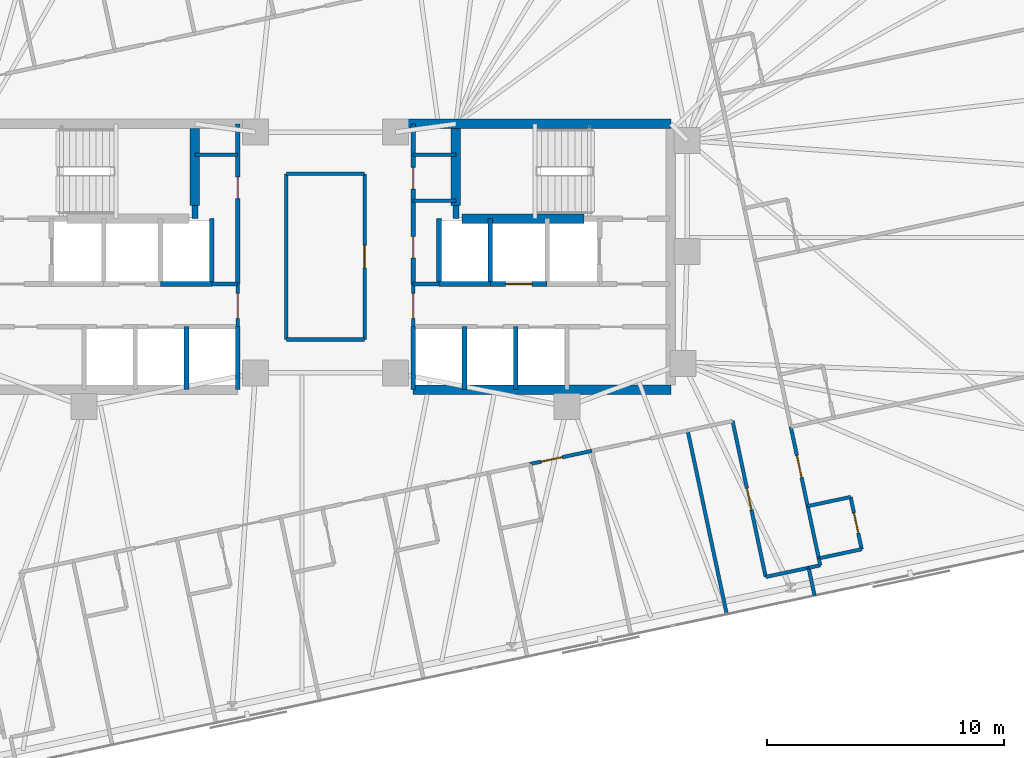
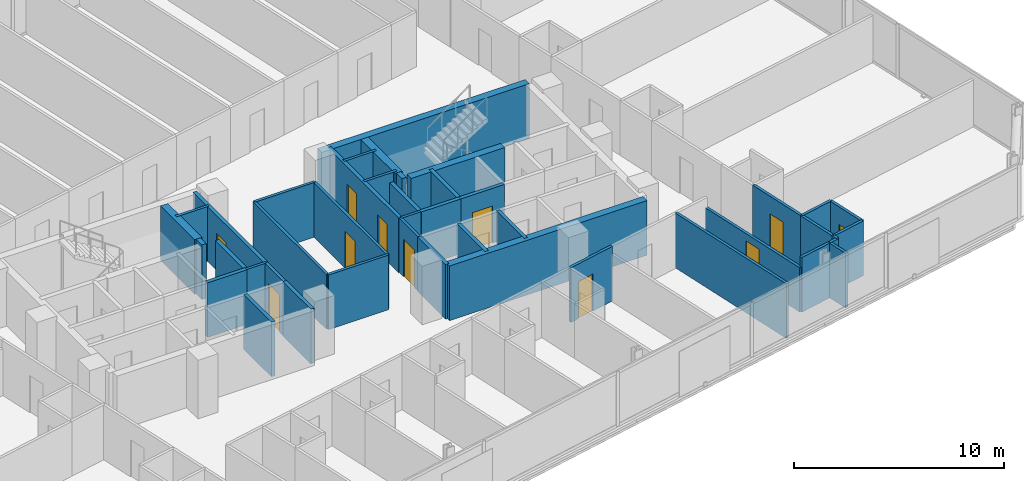
# One storey, part 16 of 21: 43 walls, 11 doors, 11 openings.
"""IFC4 building model written with IfcOpenShell, lengths in metres."""

from ifc_helpers import new_model, si_unit, direction, frame, frame_2d, origin, place, context, subcontext, project, spatial, rectangle, extrude, material, layer, layer_set, type_object, element, fill, save


model = new_model("IFC4")

# Units and contexts
model_context = context("Model", 3, precision=1e-05, world=origin(), true_north=direction((0.0, 1.0)))
body_context = subcontext(model_context, "Body", "Model", "MODEL_VIEW")
ifc_project = project(units=[si_unit("LENGTHUNIT", "METRE"), si_unit("AREAUNIT", "SQUARE_METRE"), si_unit("VOLUMEUNIT", "CUBIC_METRE"), si_unit("PLANEANGLEUNIT", "RADIAN"), si_unit("MASSUNIT", "GRAM", prefix="KILO")], contexts=[model_context])

# Site, building, storey
site_placement = place(None, origin())
site = spatial("IfcSite", under=ifc_project, at=site_placement, CompositionType="ELEMENT")
building_placement = place(site_placement, origin())
building = spatial("IfcBuilding", under=site, at=building_placement, Name="Menara Jurai Vektor", CompositionType="ELEMENT")
storey_placement = place(building_placement, frame((0.0, 0.0, 168.39990234375)))
storey = spatial("IfcBuildingStorey", under=building, at=storey_placement, Name="L43", CompositionType="ELEMENT", Elevation=168.39990234375)

# Walls
ifc_material_1 = material(Name="Concrete C40/50", Category="concrete")
ifc_layer_1 = layer(ifc_material_1, 0.25)
ifc_layer_set_1 = layer_set([ifc_layer_1], Name="Concrete C40/50")
wall_type_1 = type_object("IfcWallType", Name="INT-WALL-CORE-250", PredefinedType="STANDARD", material=ifc_layer_set_1)
for number, where, z_axis, x_axis, name in (
    (1, (-5.5, 1.60009765625, 0.0), (0.0, 0.0, 1.0), (0.0, 1.0, 0.0), "Interior Wall IW-250 L43"),
    (2, (5.5, 1.60009765625, 0.0), (0.0, 0.0, 1.0), (0.0, 1.0, 0.0), "Interior Wall IW-250 L43"),
):
    element("IfcWall", number, at=place(storey_placement, frame(where, z_axis=z_axis, x_axis=x_axis)), inside=storey, type_object=wall_type_1, Name=name, PredefinedType="STANDARD", context=body_context, shape_type="SweptSolid", body=[
        extrude(rectangle(XDim=0.5498046875, YDim=0.25, at=frame_2d((0.27490234375, 0.0))), origin(), (0.0, 0.0, 1.0), 3.175048828125),
    ])

# Wall, opening, door
ifc_material_2 = material(Name="Gypsum Fireboard Partition", Category="gypsum")
ifc_layer_2 = layer(ifc_material_2, 0.14990234375)
ifc_layer_set_2 = layer_set([ifc_layer_2], Name="Gypsum Fireboard Partition")
wall_type_2 = type_object("IfcWallType", Name="INT-WALL-CORR-150", PredefinedType="PARTITIONING", material=ifc_layer_set_2)
wall_1_placement = place(storey_placement, frame((-3.699951171875, -2.949951171875, 0.0), z_axis=(0.0, 0.0, 1.0), x_axis=(0.0, 1.0, 0.0)))
wall_1 = element("IfcWall", 3, at=wall_1_placement, inside=storey, type_object=wall_type_2, Name="Interior Wall IW-150 L43", PredefinedType="PARTITIONING", context=body_context, shape_type="SweptSolid", body=[
    extrude(rectangle(XDim=1.800048828125, YDim=0.14990234375, at=frame_2d((0.89990234375, 0.0))), origin(), (0.0, 0.0, 1.0), 3.175048828125),
])
opening_1_placement = place(wall_1_placement, frame((0.35009765625, 0.0, 0.0)))
opening_1 = element("IfcOpeningElement", 4, at=opening_1_placement, cuts=wall_1, Name="Opening D-L43-LLW", PredefinedType="OPENING", context=body_context, shape_type="SweptSolid", body=[
    extrude(rectangle(XDim=1.050048828125, YDim=2.179931640625, at=frame_2d((0.52490234375, 1.08984375))), frame((0.0, 0.0849609375, 0.0), z_axis=(0.0, -1.0, 0.0), x_axis=(1.0, 0.0, 0.0)), (0.0, 0.0, 1.0), 0.169921875),
])
ifc_material_3 = material(Name="Fire-Rated Timber Door", Category="wood")
door_type_1 = type_object("IfcDoorType", Name="DR-LOBBY-1050", OperationType="NOTDEFINED", PredefinedType="DOOR", material=ifc_material_3)
door_1_placement = place(opening_1_placement, origin())
door_1 = element("IfcDoor", 5, at=door_1_placement, inside=storey, type_object=door_type_1, Name="Lift Lobby Corridor Door W L43", OperationType="SINGLE_SWING_LEFT", OverallHeight=2.179931640625, OverallWidth=1.050048828125, PredefinedType="DOOR", context=body_context, shape_type="SweptSolid", body=[
    extrude(rectangle(XDim=1.050048828125, YDim=2.179931640625, at=frame_2d((0.52490234375, 1.08984375))), frame((0.0, 0.02490234375, 0.0), z_axis=(0.0, -1.0, 0.0), x_axis=(1.0, 0.0, 0.0)), (0.0, 0.0, 1.0), 0.050048828125),
])
fill(opening_1, door_1)

# Wall
wall_2_placement = place(storey_placement, frame((-4.7900390625, -1.14990234375, 0.0), z_axis=(0.0, 0.0, 1.0), x_axis=(1.0, 0.0, 0.0)))
element("IfcWall", 6, at=wall_2_placement, inside=storey, type_object=wall_type_2, Name="Interior Wall IW-150 L43", PredefinedType="PARTITIONING", context=body_context, shape_type="SweptSolid", body=[
    extrude(rectangle(XDim=1.090087890625, YDim=0.14990234375, at=frame_2d((0.544921875, 0.0))), origin(), (0.0, 0.0, 1.0), 3.175048828125),
])

# Wall, opening, door
wall_3_placement = place(storey_placement, frame((3.699951171875, -2.949951171875, 0.0), z_axis=(0.0, 0.0, 1.0), x_axis=(0.0, 1.0, 0.0)))
wall_3 = element("IfcWall", 7, at=wall_3_placement, inside=storey, type_object=wall_type_2, Name="Interior Wall IW-150 L43", PredefinedType="PARTITIONING", context=body_context, shape_type="SweptSolid", body=[
    extrude(rectangle(XDim=1.800048828125, YDim=0.14990234375, at=frame_2d((0.89990234375, 0.0))), origin(), (0.0, 0.0, 1.0), 3.175048828125),
])
opening_2_placement = place(wall_3_placement, frame((0.35009765625, 0.0, 0.0)))
opening_2 = element("IfcOpeningElement", 8, at=opening_2_placement, cuts=wall_3, Name="Opening D-L43-LLE", PredefinedType="OPENING", context=body_context, shape_type="SweptSolid", body=[
    extrude(rectangle(XDim=1.050048828125, YDim=2.179931640625, at=frame_2d((0.52490234375, 1.08984375))), frame((0.0, 0.0849609375, 0.0), z_axis=(0.0, -1.0, 0.0), x_axis=(1.0, 0.0, 0.0)), (0.0, 0.0, 1.0), 0.169921875),
])
door_2_placement = place(opening_2_placement, frame((1.050048828125, 0.0, 0.0), z_axis=(0.0, 0.0, 1.0), x_axis=(-1.0, 0.0, 0.0)))
door_2 = element("IfcDoor", 9, at=door_2_placement, inside=storey, type_object=door_type_1, Name="Lift Lobby Corridor Door E L43", OperationType="SINGLE_SWING_RIGHT", OverallHeight=2.179931640625, OverallWidth=1.050048828125, PredefinedType="DOOR", context=body_context, shape_type="SweptSolid", body=[
    extrude(rectangle(XDim=1.050048828125, YDim=2.179931640625, at=frame_2d((0.52490234375, 1.08984375))), frame((0.0, 0.02490234375, 0.0), z_axis=(0.0, -1.0, 0.0), x_axis=(1.0, 0.0, 0.0)), (0.0, 0.0, 1.0), 0.050048828125),
])
fill(opening_2, door_2)

# Walls
wall_4_placement = place(storey_placement, frame((3.699951171875, -1.14990234375, 0.0), z_axis=(0.0, 0.0, 1.0), x_axis=(1.0, 0.0, 0.0)))
element("IfcWall", 10, at=wall_4_placement, inside=storey, type_object=wall_type_2, Name="Interior Wall IW-150 L43", PredefinedType="PARTITIONING", context=body_context, shape_type="SweptSolid", body=[
    extrude(rectangle(XDim=1.090087890625, YDim=0.14990234375, at=frame_2d((0.544921875, 0.0))), origin(), (0.0, 0.0, 1.0), 3.175048828125),
])
for number, where, z_axis, x_axis, name in (
    (11, (-5.5, 4.300048828125, 0.0), (0.0, 0.0, 1.0), (1.0, 0.0, 0.0), "Interior Wall IW-150 L43"),
    (12, (3.699951171875, 4.300048828125, 0.0), (0.0, 0.0, 1.0), (1.0, 0.0, 0.0), "Interior Wall IW-150 L43"),
    (13, (3.699951171875, 2.35009765625, 0.0), (0.0, 0.0, 1.0), (1.0, 0.0, 0.0), "Interior Wall IW-150 L43"),
):
    element("IfcWall", number, at=place(storey_placement, frame(where, z_axis=z_axis, x_axis=x_axis)), inside=storey, type_object=wall_type_2, Name=name, PredefinedType="PARTITIONING", context=body_context, shape_type="SweptSolid", body=[
        extrude(rectangle(XDim=1.800048828125, YDim=0.14990234375, at=frame_2d((0.89990234375, 0.0))), origin(), (0.0, 0.0, 1.0), 3.175048828125),
    ])
wall_5_placement = place(storey_placement, frame((-1.64990234375, -3.489501953125, 0.0), z_axis=(0.0, 0.0, 1.0), x_axis=(-3.4979712e-05, 0.999999999388, 0.0)))
element("IfcWall", 14, at=wall_5_placement, inside=storey, type_object=wall_type_2, Name="Interior Wall IW-150 L43", PredefinedType="PARTITIONING", context=body_context, shape_type="SweptSolid", body=[
    extrude(rectangle(XDim=6.9794921875, YDim=0.14990234375, at=frame_2d((3.48974609375, 0.0))), origin(), (0.0, 0.0, 1.0), 3.175048828125),
])
wall_6_placement = place(storey_placement, frame((-1.64990234375, -3.489501953125, 0.0), z_axis=(0.0, 0.0, 1.0), x_axis=(0.999999975374, -0.000221926315, 0.0)))
element("IfcWall", 15, at=wall_6_placement, inside=storey, type_object=wall_type_2, Name="Interior Wall IW-150 L43", PredefinedType="PARTITIONING", context=body_context, shape_type="SweptSolid", body=[
    extrude(rectangle(XDim=3.30029296875, YDim=0.14990234375, at=frame_2d((1.650146484375, 0.0))), origin(), (0.0, 0.0, 1.0), 3.175048828125),
])
wall_7_placement = place(storey_placement, frame((-1.650146484375, 3.489990234375, 0.0), z_axis=(0.0, 0.0, 1.0), x_axis=(1.0, 0.0, 0.0)))
element("IfcWall", 16, at=wall_7_placement, inside=storey, type_object=wall_type_2, Name="Interior Wall IW-150 L43", PredefinedType="PARTITIONING", context=body_context, shape_type="SweptSolid", body=[
    extrude(rectangle(XDim=3.300048828125, YDim=0.14990234375, at=frame_2d((1.64990234375, 0.0))), origin(), (0.0, 0.0, 1.0), 3.175048828125),
])

# Wall, opening, door
wall_8_placement = place(storey_placement, frame((1.650390625, -3.490234375, 0.0), z_axis=(0.0, 0.0, 1.0), x_axis=(-6.9952083e-05, 0.999999997553, 0.0)))
wall_8 = element("IfcWall", 17, at=wall_8_placement, inside=storey, type_object=wall_type_2, Name="Interior Wall IW-150 L43", PredefinedType="PARTITIONING", context=body_context, shape_type="SweptSolid", body=[
    extrude(rectangle(XDim=6.980224609375, YDim=0.14990234375, at=frame_2d((3.490234375, 0.0))), origin(), (0.0, 0.0, 1.0), 3.175048828125),
])
opening_3_placement = place(wall_8_placement, frame((3.01513671875, 0.0, 0.0)))
opening_3 = element("IfcOpeningElement", 18, at=opening_3_placement, cuts=wall_8, Name="Opening D43-06", PredefinedType="OPENING", context=body_context, shape_type="SweptSolid", body=[
    extrude(rectangle(XDim=0.949951171875, YDim=2.14990234375, at=frame_2d((0.47509765625, 1.074951171875))), frame((0.0, 0.0849609375, 0.0), z_axis=(0.0, -1.0, 0.0), x_axis=(1.0, 0.0, 0.0)), (0.0, 0.0, 1.0), 0.169921875),
])
ifc_material_4 = material(Name="Solid Core Timber Fire Door", Category="wood")
door_type_2 = type_object("IfcDoorType", Name="DR-ENTRY-950", OperationType="NOTDEFINED", PredefinedType="DOOR", material=ifc_material_4)
door_3_placement = place(opening_3_placement, origin())
door_3 = element("IfcDoor", 19, at=door_3_placement, inside=storey, type_object=door_type_2, Name="Interior Door D43-06", OperationType="SINGLE_SWING_LEFT", OverallHeight=2.14990234375, OverallWidth=0.949951171875, PredefinedType="DOOR", context=body_context, shape_type="SweptSolid", body=[
    extrude(rectangle(XDim=0.949951171875, YDim=2.14990234375, at=frame_2d((0.47509765625, 1.074951171875))), frame((0.0, 0.02490234375, 0.0), z_axis=(0.0, -1.0, 0.0), x_axis=(1.0, 0.0, 0.0)), (0.0, 0.0, 1.0), 0.050048828125),
])
fill(opening_3, door_3)

wall_9_placement = place(storey_placement, frame((8.621337890625, -8.74072265625, 0.0), z_axis=(0.0, 0.0, 1.0), x_axis=(0.978139565144, 0.207949491702, 0.0)))
wall_9 = element("IfcWall", 20, at=wall_9_placement, inside=storey, type_object=wall_type_2, Name="Interior Wall IW-150 L43", PredefinedType="PARTITIONING", context=body_context, shape_type="SweptSolid", body=[
    extrude(rectangle(XDim=2.6708984375, YDim=0.14990234375, at=frame_2d((1.33544921875, 0.0))), origin(), (0.0, 0.0, 1.0), 3.175048828125),
])
opening_4_placement = place(wall_9_placement, frame((0.474853515625, 0.0, 0.0)))
opening_4 = element("IfcOpeningElement", 21, at=opening_4_placement, cuts=wall_9, Name="Opening D43-26", PredefinedType="OPENING", context=body_context, shape_type="SweptSolid", body=[
    extrude(rectangle(XDim=0.919921875, YDim=2.14990234375, at=frame_2d((0.4599609375, 1.074951171875))), frame((0.0, 0.0849609375, 0.0), z_axis=(0.0, -1.0, 0.0), x_axis=(1.0, 0.0, 0.0)), (0.0, 0.0, 1.0), 0.169921875),
])
door_4_placement = place(opening_4_placement, origin())
door_4 = element("IfcDoor", 22, at=door_4_placement, inside=storey, type_object=door_type_2, Name="Interior Door D43-26", OperationType="SINGLE_SWING_LEFT", OverallHeight=2.14990234375, OverallWidth=0.919921875, PredefinedType="DOOR", context=body_context, shape_type="SweptSolid", body=[
    extrude(rectangle(XDim=0.919921875, YDim=2.14990234375, at=frame_2d((0.4599609375, 1.074951171875))), frame((0.0, 0.02490234375, 0.0), z_axis=(0.0, -1.0, 0.0), x_axis=(1.0, 0.0, 0.0)), (0.0, 0.0, 1.0), 0.050048828125),
])
fill(opening_4, door_4)

# Walls
wall_10_placement = place(storey_placement, frame((18.5595703125, -13.498291015625, 0.0), z_axis=(0.0, 0.0, 1.0), x_axis=(0.978160192495, 0.207852442415, 0.0)))
element("IfcWall", 23, at=wall_10_placement, inside=storey, type_object=wall_type_2, Name="Interior Wall IW-150 L43", PredefinedType="PARTITIONING", context=body_context, shape_type="SweptSolid", body=[
    extrude(rectangle(XDim=1.849853515625, YDim=0.14990234375, at=frame_2d((0.9248046875, 0.0))), origin(), (0.0, 0.0, 1.0), 3.175048828125),
])
wall_11_placement = place(storey_placement, frame((20.369140625, -13.11376953125, 0.0), z_axis=(0.0, 0.0, 1.0), x_axis=(0.978143962546, 0.207928806409, 0.0)))
element("IfcWall", 24, at=wall_11_placement, inside=storey, type_object=wall_type_2, Name="Interior Wall IW-150 L43", PredefinedType="PARTITIONING", context=body_context, shape_type="SweptSolid", body=[
    extrude(rectangle(XDim=0.500244140625, YDim=0.14990234375, at=frame_2d((0.25, 0.0))), origin(), (0.0, 0.0, 1.0), 3.175048828125),
])
wall_12_placement = place(storey_placement, frame((20.8583984375, -13.009765625, 0.0), z_axis=(0.0, 0.0, 1.0), x_axis=(-0.208306395052, 0.978063620518, 0.0)))
element("IfcWall", 25, at=wall_12_placement, inside=storey, type_object=wall_type_2, Name="Interior Wall IW-150 L43", PredefinedType="PARTITIONING", context=body_context, shape_type="SweptSolid", body=[
    extrude(rectangle(XDim=0.300048828125, YDim=0.14990234375, at=frame_2d((0.14990234375, 0.0))), origin(), (0.0, 0.0, 1.0), 3.175048828125),
])

# Wall, opening, door
wall_13_placement = place(storey_placement, frame((20.328125, -10.515380859375, 0.0), z_axis=(0.0, 0.0, 1.0), x_axis=(-0.207918572776, 0.978146137903, 0.0)))
wall_13 = element("IfcWall", 26, at=wall_13_placement, inside=storey, type_object=wall_type_2, Name="Interior Wall IW-150 L43", PredefinedType="PARTITIONING", context=body_context, shape_type="SweptSolid", body=[
    extrude(rectangle(XDim=3.4169921875, YDim=0.14990234375, at=frame_2d((1.70849609375, 0.0))), origin(), (0.0, 0.0, 1.0), 3.175048828125),
])
opening_5_placement = place(wall_13_placement, frame((1.2333984375, 0.0, 0.0)))
opening_5 = element("IfcOpeningElement", 27, at=opening_5_placement, cuts=wall_13, Name="Opening D43-42", PredefinedType="OPENING", context=body_context, shape_type="SweptSolid", body=[
    extrude(rectangle(XDim=0.949951171875, YDim=2.14990234375, at=frame_2d((0.47509765625, 1.074951171875))), frame((0.0, 0.0849609375, 0.0), z_axis=(0.0, -1.0, 0.0), x_axis=(1.0, 0.0, 0.0)), (0.0, 0.0, 1.0), 0.169921875),
])
door_5_placement = place(opening_5_placement, origin())
door_5 = element("IfcDoor", 28, at=door_5_placement, inside=storey, type_object=door_type_2, Name="Interior Door D43-42", OperationType="SINGLE_SWING_LEFT", OverallHeight=2.14990234375, OverallWidth=0.949951171875, PredefinedType="DOOR", context=body_context, shape_type="SweptSolid", body=[
    extrude(rectangle(XDim=0.949951171875, YDim=2.14990234375, at=frame_2d((0.47509765625, 1.074951171875))), frame((0.0, 0.02490234375, 0.0), z_axis=(0.0, -1.0, 0.0), x_axis=(1.0, 0.0, 0.0)), (0.0, 0.0, 1.0), 0.050048828125),
])
fill(opening_5, door_5)

# Walls
wall_14_placement = place(storey_placement, frame((20.7958984375, -12.71630859375, 0.0), z_axis=(0.0, 0.0, 1.0), x_axis=(-0.207891197838, 0.978151956427, 0.0)))
element("IfcWall", 29, at=wall_14_placement, inside=storey, type_object=wall_type_2, Name="Interior Wall IW-150 L43", PredefinedType="PARTITIONING", context=body_context, shape_type="SweptSolid", body=[
    extrude(rectangle(XDim=2.25, YDim=0.14990234375, at=frame_2d((1.125, 0.0))), origin(), (0.0, 0.0, 1.0), 3.175048828125),
])
wall_15_placement = place(storey_placement, frame((16.91748046875, -15.07421875, 0.0), z_axis=(0.0, 0.0, 1.0), x_axis=(-0.207922536845, 0.978145295277, 0.0)))
element("IfcWall", 30, at=wall_15_placement, inside=storey, type_object=wall_type_2, Name="Interior Wall IW-150 L43", PredefinedType="PARTITIONING", context=body_context, shape_type="SweptSolid", body=[
    extrude(rectangle(XDim=7.919921875, YDim=0.14990234375, at=frame_2d((3.9599609375, 0.0))), origin(), (0.0, 0.0, 1.0), 3.175048828125),
])
wall_16_placement = place(storey_placement, frame((20.61865234375, -14.28759765625, 0.0), z_axis=(0.0, 0.0, 1.0), x_axis=(-0.207917150959, 0.978146440129, 0.0)))
element("IfcWall", 31, at=wall_16_placement, inside=storey, type_object=wall_type_2, Name="Interior Wall IW-150 L43", PredefinedType="PARTITIONING", context=body_context, shape_type="SweptSolid", body=[
    extrude(rectangle(XDim=1.199951171875, YDim=0.14990234375, at=frame_2d((0.60009765625, 0.0))), origin(), (0.0, 0.0, 1.0), 3.175048828125),
])
for number, where, z_axis, x_axis, name in (
    (32, (20.7958984375, -12.71630859375, 0.0), (0.0, 0.0, 1.0), (0.978160192495, 0.207852442415, 0.0), "Interior Wall IW-150 L43"),
    (33, (20.328125, -10.515380859375, 0.0), (0.0, 0.0, 1.0), (0.978160192495, 0.207852442415, 0.0), "Interior Wall IW-150 L43"),
):
    element("IfcWall", number, at=place(storey_placement, frame(where, z_axis=z_axis, x_axis=x_axis)), inside=storey, type_object=wall_type_2, Name=name, PredefinedType="PARTITIONING", context=body_context, shape_type="SweptSolid", body=[
        extrude(rectangle(XDim=1.849853515625, YDim=0.14990234375, at=frame_2d((0.9248046875, 0.0))), origin(), (0.0, 0.0, 1.0), 3.175048828125),
    ])

# Wall, opening, door
wall_17_placement = place(storey_placement, frame((22.60546875, -12.331787109375, 0.0), z_axis=(0.0, 0.0, 1.0), x_axis=(-0.207891197838, 0.978151956427, 0.0)))
wall_17 = element("IfcWall", 34, at=wall_17_placement, inside=storey, type_object=wall_type_2, Name="Interior Wall IW-150 L43", PredefinedType="PARTITIONING", context=body_context, shape_type="SweptSolid", body=[
    extrude(rectangle(XDim=2.25, YDim=0.14990234375, at=frame_2d((1.125, 0.0))), origin(), (0.0, 0.0, 1.0), 3.175048828125),
])
opening_6_placement = place(wall_17_placement, frame((0.68505859375, 0.0, 0.0)))
opening_6 = element("IfcOpeningElement", 35, at=opening_6_placement, cuts=wall_17, Name="Opening D43-43", PredefinedType="OPENING", context=body_context, shape_type="SweptSolid", body=[
    extrude(rectangle(XDim=0.8798828125, YDim=2.14990234375, at=frame_2d((0.43994140625, 1.074951171875))), frame((0.0, 0.0849609375, 0.0), z_axis=(0.0, -1.0, 0.0), x_axis=(1.0, 0.0, 0.0)), (0.0, 0.0, 1.0), 0.169921875),
])
ifc_material_5 = material(Name="Moisture-Resistant Timber Door", Category="wood")
door_type_3 = type_object("IfcDoorType", Name="DR-BATH-880", OperationType="NOTDEFINED", PredefinedType="DOOR", material=ifc_material_5)
door_6_placement = place(opening_6_placement, origin())
door_6 = element("IfcDoor", 36, at=door_6_placement, inside=storey, type_object=door_type_3, Name="Interior Door D43-43", OperationType="SINGLE_SWING_RIGHT", OverallHeight=2.14990234375, OverallWidth=0.8798828125, PredefinedType="DOOR", context=body_context, shape_type="SweptSolid", body=[
    extrude(rectangle(XDim=0.8798828125, YDim=2.14990234375, at=frame_2d((0.43994140625, 1.074951171875))), frame((0.0, 0.02490234375, 0.0), z_axis=(0.0, -1.0, 0.0), x_axis=(1.0, 0.0, 0.0)), (0.0, 0.0, 1.0), 0.050048828125),
])
fill(opening_6, door_6)

ifc_layer_3 = layer(ifc_material_2, 0.14990234375)
ifc_layer_set_3 = layer_set([ifc_layer_3], Name="Gypsum Fireboard Partition")
wall_type_3 = type_object("IfcWallType", Name="INT-WALL-CORR-150-H2", PredefinedType="PARTITIONING", material=ifc_layer_set_3)
wall_18_placement = place(storey_placement, frame((18.5595703125, -13.498291015625, 0.0), z_axis=(0.0, 0.0, 1.0), x_axis=(-0.207888737749, 0.978152479278, 0.0)))
wall_18 = element("IfcWall", 37, at=wall_18_placement, inside=storey, type_object=wall_type_3, Name="Interior Wall IW-150 L43", PredefinedType="PARTITIONING", context=body_context, shape_type="SweptSolid", body=[
    extrude(rectangle(XDim=6.7197265625, YDim=0.14990234375, at=frame_2d((3.35986328125, 0.0))), origin(), (0.0, 0.0, 1.0), 2.5751953125),
])
opening_7_placement = place(wall_18_placement, frame((2.89990234375, 0.0, 0.0)))
opening_7 = element("IfcOpeningElement", 38, at=opening_7_placement, cuts=wall_18, Name="Opening D43-29", PredefinedType="OPENING", context=body_context, shape_type="SweptSolid", body=[
    extrude(rectangle(XDim=0.919921875, YDim=2.14990234375, at=frame_2d((0.4599609375, 1.074951171875))), frame((0.0, 0.0849609375, 0.0), z_axis=(0.0, -1.0, 0.0), x_axis=(1.0, 0.0, 0.0)), (0.0, 0.0, 1.0), 0.169921875),
])
door_7_placement = place(opening_7_placement, origin())
door_7 = element("IfcDoor", 39, at=door_7_placement, inside=storey, type_object=door_type_2, Name="Interior Door D43-29", OperationType="SINGLE_SWING_RIGHT", OverallHeight=2.14990234375, OverallWidth=0.919921875, PredefinedType="DOOR", context=body_context, shape_type="SweptSolid", body=[
    extrude(rectangle(XDim=0.919921875, YDim=2.14990234375, at=frame_2d((0.4599609375, 1.074951171875))), frame((0.0, 0.02490234375, 0.0), z_axis=(0.0, -1.0, 0.0), x_axis=(1.0, 0.0, 0.0)), (0.0, 0.0, 1.0), 0.050048828125),
])
fill(opening_7, door_7)

ifc_layer_4 = layer(ifc_material_1, 0.199951171875)
ifc_layer_set_4 = layer_set([ifc_layer_4], Name="Concrete C40/50")
wall_type_4 = type_object("IfcWallType", Name="INT-WALL-SHAFT-200", PredefinedType="STANDARD", material=ifc_layer_set_4)
wall_19_placement = place(storey_placement, frame((-3.699951171875, -1.14990234375, 0.0), z_axis=(0.0, 0.0, 1.0), x_axis=(0.0, 1.0, 0.0)))
wall_19 = element("IfcWall", 40, at=wall_19_placement, inside=storey, type_object=wall_type_4, Name="Interior Wall IW-200 L43", PredefinedType="STANDARD", context=body_context, shape_type="SweptSolid", body=[
    extrude(rectangle(XDim=6.75, YDim=0.199951171875, at=frame_2d((3.375, 0.0))), origin(), (0.0, 0.0, 1.0), 3.175048828125),
])
opening_8_placement = place(wall_19_placement, frame((3.60009765625, 0.0, 0.0)))
opening_8 = element("IfcOpeningElement", 41, at=opening_8_placement, cuts=wall_19, Name="Opening D43-02", PredefinedType="OPENING", context=body_context, shape_type="SweptSolid", body=[
    extrude(rectangle(XDim=0.919921875, YDim=2.14990234375, at=frame_2d((0.4599609375, 1.074951171875))), frame((0.0, 0.10986328125, 0.0), z_axis=(0.0, -1.0, 0.0), x_axis=(1.0, 0.0, 0.0)), (0.0, 0.0, 1.0), 0.219970703125),
])
door_8_placement = place(opening_8_placement, origin())
door_8 = element("IfcDoor", 42, at=door_8_placement, inside=storey, type_object=door_type_2, Name="Interior Door D43-02", OperationType="SINGLE_SWING_LEFT", OverallHeight=2.14990234375, OverallWidth=0.919921875, PredefinedType="DOOR", context=body_context, shape_type="SweptSolid", body=[
    extrude(rectangle(XDim=0.919921875, YDim=2.14990234375, at=frame_2d((0.4599609375, 1.074951171875))), frame((0.0, 0.02490234375, 0.0), z_axis=(0.0, -1.0, 0.0), x_axis=(1.0, 0.0, 0.0)), (0.0, 0.0, 1.0), 0.050048828125),
])
fill(opening_8, door_8)

# Walls
wall_20_placement = place(storey_placement, frame((-3.699951171875, -5.60009765625, 0.0), z_axis=(0.0, 0.0, 1.0), x_axis=(0.0, 1.0, 0.0)))
element("IfcWall", 43, at=wall_20_placement, inside=storey, type_object=wall_type_4, Name="Interior Wall IW-200 L43", PredefinedType="STANDARD", context=body_context, shape_type="SweptSolid", body=[
    extrude(rectangle(XDim=2.650146484375, YDim=0.199951171875, at=frame_2d((1.3251953125, 0.0))), origin(), (0.0, 0.0, 1.0), 3.175048828125),
])
wall_21_placement = place(storey_placement, frame((-4.7900390625, -1.14990234375, 0.0), z_axis=(0.0, 0.0, 1.0), x_axis=(0.0, 1.0, 0.0)))
element("IfcWall", 44, at=wall_21_placement, inside=storey, type_object=wall_type_4, Name="Interior Wall IW-200 L43", PredefinedType="STANDARD", context=body_context, shape_type="SweptSolid", body=[
    extrude(rectangle(XDim=2.75, YDim=0.199951171875, at=frame_2d((1.375, 0.0))), origin(), (0.0, 0.0, 1.0), 3.175048828125),
])
wall_22_placement = place(storey_placement, frame((-6.949951171875, -1.14990234375, 0.0), z_axis=(0.0, 0.0, 1.0), x_axis=(1.0, 0.0, 0.0)))
element("IfcWall", 45, at=wall_22_placement, inside=storey, type_object=wall_type_4, Name="Interior Wall IW-200 L43", PredefinedType="STANDARD", context=body_context, shape_type="SweptSolid", body=[
    extrude(rectangle(XDim=2.159912109375, YDim=0.199951171875, at=frame_2d((1.080078125, 0.0))), origin(), (0.0, 0.0, 1.0), 3.175048828125),
])
wall_23_placement = place(storey_placement, frame((-5.860107421875, -5.60009765625, 0.0), z_axis=(0.0, 0.0, 1.0), x_axis=(0.0, 1.0, 0.0)))
element("IfcWall", 46, at=wall_23_placement, inside=storey, type_object=wall_type_4, Name="Interior Wall IW-200 L43", PredefinedType="STANDARD", context=body_context, shape_type="SweptSolid", body=[
    extrude(rectangle(XDim=2.650146484375, YDim=0.199951171875, at=frame_2d((1.3251953125, 0.0))), origin(), (0.0, 0.0, 1.0), 3.175048828125),
])

# Wall, openings, doors
wall_24_placement = place(storey_placement, frame((3.699951171875, -1.14990234375, 0.0), z_axis=(0.0, 0.0, 1.0), x_axis=(0.0, 1.0, 0.0)))
wall_24 = element("IfcWall", 47, at=wall_24_placement, inside=storey, type_object=wall_type_4, Name="Interior Wall IW-200 L43", PredefinedType="STANDARD", context=body_context, shape_type="SweptSolid", body=[
    extrude(rectangle(XDim=6.75, YDim=0.199951171875, at=frame_2d((3.375, 0.0))), origin(), (0.0, 0.0, 1.0), 3.175048828125),
])
opening_9_placement = place(wall_24_placement, frame((1.10009765625, 0.0, 0.0)))
opening_9 = element("IfcOpeningElement", 48, at=opening_9_placement, cuts=wall_24, Name="Opening D43-04", PredefinedType="OPENING", context=body_context, shape_type="SweptSolid", body=[
    extrude(rectangle(XDim=0.89990234375, YDim=2.14990234375, at=frame_2d((0.449951171875, 1.074951171875))), frame((0.0, 0.10986328125, 0.0), z_axis=(0.0, -1.0, 0.0), x_axis=(1.0, 0.0, 0.0)), (0.0, 0.0, 1.0), 0.219970703125),
])
opening_10_placement = place(wall_24_placement, frame((4.0, 0.0, 0.0)))
opening_10 = element("IfcOpeningElement", 49, at=opening_10_placement, cuts=wall_24, Name="Opening D43-05", PredefinedType="OPENING", context=body_context, shape_type="SweptSolid", body=[
    extrude(rectangle(XDim=0.919921875, YDim=2.14990234375, at=frame_2d((0.4599609375, 1.074951171875))), frame((0.0, 0.10986328125, 0.0), z_axis=(0.0, -1.0, 0.0), x_axis=(1.0, 0.0, 0.0)), (0.0, 0.0, 1.0), 0.219970703125),
])
door_9_placement = place(opening_9_placement, origin())
door_9 = element("IfcDoor", 50, at=door_9_placement, inside=storey, type_object=door_type_2, Name="Interior Door D43-04", OperationType="SINGLE_SWING_RIGHT", OverallHeight=2.14990234375, OverallWidth=0.89990234375, PredefinedType="DOOR", context=body_context, shape_type="SweptSolid", body=[
    extrude(rectangle(XDim=0.89990234375, YDim=2.14990234375, at=frame_2d((0.449951171875, 1.074951171875))), frame((0.0, 0.02490234375, 0.0), z_axis=(0.0, -1.0, 0.0), x_axis=(1.0, 0.0, 0.0)), (0.0, 0.0, 1.0), 0.050048828125),
])
fill(opening_9, door_9)
door_10_placement = place(opening_10_placement, origin())
door_10 = element("IfcDoor", 51, at=door_10_placement, inside=storey, type_object=door_type_2, Name="Interior Door D43-05", OperationType="SINGLE_SWING_RIGHT", OverallHeight=2.14990234375, OverallWidth=0.919921875, PredefinedType="DOOR", context=body_context, shape_type="SweptSolid", body=[
    extrude(rectangle(XDim=0.919921875, YDim=2.14990234375, at=frame_2d((0.4599609375, 1.074951171875))), frame((0.0, 0.02490234375, 0.0), z_axis=(0.0, -1.0, 0.0), x_axis=(1.0, 0.0, 0.0)), (0.0, 0.0, 1.0), 0.050048828125),
])
fill(opening_10, door_10)

# Walls
wall_25_placement = place(storey_placement, frame((3.699951171875, -5.60009765625, 0.0), z_axis=(0.0, 0.0, 1.0), x_axis=(0.0, 1.0, 0.0)))
element("IfcWall", 52, at=wall_25_placement, inside=storey, type_object=wall_type_4, Name="Interior Wall IW-200 L43", PredefinedType="STANDARD", context=body_context, shape_type="SweptSolid", body=[
    extrude(rectangle(XDim=2.650146484375, YDim=0.199951171875, at=frame_2d((1.3251953125, 0.0))), origin(), (0.0, 0.0, 1.0), 3.175048828125),
])
wall_26_placement = place(storey_placement, frame((6.949951171875, -1.14990234375, 0.0), z_axis=(0.0, 0.0, 1.0), x_axis=(0.0, 1.0, 0.0)))
element("IfcWall", 53, at=wall_26_placement, inside=storey, type_object=wall_type_4, Name="Interior Wall IW-200 L43", PredefinedType="STANDARD", context=body_context, shape_type="SweptSolid", body=[
    extrude(rectangle(XDim=2.75, YDim=0.199951171875, at=frame_2d((1.375, 0.0))), origin(), (0.0, 0.0, 1.0), 3.175048828125),
])

# Wall, opening, door
wall_27_placement = place(storey_placement, frame((6.949951171875, -1.14990234375, 0.0), z_axis=(0.0, 0.0, 1.0), x_axis=(1.0, 0.0, 0.0)))
wall_27 = element("IfcWall", 54, at=wall_27_placement, inside=storey, type_object=wall_type_4, Name="Interior Wall IW-200 L43", PredefinedType="STANDARD", context=body_context, shape_type="SweptSolid", body=[
    extrude(rectangle(XDim=2.400146484375, YDim=0.199951171875, at=frame_2d((1.2001953125, 0.0))), origin(), (0.0, 0.0, 1.0), 3.175048828125),
])
opening_11_placement = place(wall_27_placement, frame((0.64990234375, 0.0, 0.0)))
opening_11 = element("IfcOpeningElement", 55, at=opening_11_placement, cuts=wall_27, Name="Opening LD-L43-SVL2", PredefinedType="OPENING", context=body_context, shape_type="SweptSolid", body=[
    extrude(rectangle(XDim=1.10009765625, YDim=2.14990234375, at=frame_2d((0.550048828125, 1.074951171875))), frame((0.0, 0.10986328125, 0.0), z_axis=(0.0, -1.0, 0.0), x_axis=(1.0, 0.0, 0.0)), (0.0, 0.0, 1.0), 0.219970703125),
])
ifc_material_6 = material(Name="Anodised Stainless Sliding Lift Landing Door", Category="steel")
door_type_4 = type_object("IfcDoorType", Name="DR-LIFT-PASS-1100", OperationType="NOTDEFINED", PredefinedType="DOOR", material=ifc_material_6)
door_11_placement = place(opening_11_placement, origin())
door_11 = element("IfcDoor", 56, at=door_11_placement, inside=storey, type_object=door_type_4, Name="Lift Landing Door SVL2 L43", OperationType="SLIDING_TO_RIGHT", OverallHeight=2.14990234375, OverallWidth=1.10009765625, PredefinedType="DOOR", context=body_context, shape_type="SweptSolid", body=[
    extrude(rectangle(XDim=1.10009765625, YDim=2.14990234375, at=frame_2d((0.550048828125, 1.074951171875))), frame((0.0, 0.02490234375, 0.0), z_axis=(0.0, -1.0, 0.0), x_axis=(1.0, 0.0, 0.0)), (0.0, 0.0, 1.0), 0.050048828125),
])
fill(opening_11, door_11)

# Walls
wall_28_placement = place(storey_placement, frame((4.7900390625, -1.14990234375, 0.0), z_axis=(0.0, 0.0, 1.0), x_axis=(0.0, 1.0, 0.0)))
element("IfcWall", 57, at=wall_28_placement, inside=storey, type_object=wall_type_4, Name="Interior Wall IW-200 L43", PredefinedType="STANDARD", context=body_context, shape_type="SweptSolid", body=[
    extrude(rectangle(XDim=2.75, YDim=0.199951171875, at=frame_2d((1.375, 0.0))), origin(), (0.0, 0.0, 1.0), 3.175048828125),
])
wall_29_placement = place(storey_placement, frame((4.7900390625, -1.14990234375, 0.0), z_axis=(0.0, 0.0, 1.0), x_axis=(1.0, 0.0, 0.0)))
element("IfcWall", 58, at=wall_29_placement, inside=storey, type_object=wall_type_4, Name="Interior Wall IW-200 L43", PredefinedType="STANDARD", context=body_context, shape_type="SweptSolid", body=[
    extrude(rectangle(XDim=2.159912109375, YDim=0.199951171875, at=frame_2d((1.080078125, 0.0))), origin(), (0.0, 0.0, 1.0), 3.175048828125),
])
wall_30_placement = place(storey_placement, frame((5.860107421875, -5.60009765625, 0.0), z_axis=(0.0, 0.0, 1.0), x_axis=(0.0, 1.0, 0.0)))
element("IfcWall", 59, at=wall_30_placement, inside=storey, type_object=wall_type_4, Name="Interior Wall IW-200 L43", PredefinedType="STANDARD", context=body_context, shape_type="SweptSolid", body=[
    extrude(rectangle(XDim=2.650146484375, YDim=0.199951171875, at=frame_2d((1.3251953125, 0.0))), origin(), (0.0, 0.0, 1.0), 3.175048828125),
])
wall_31_placement = place(storey_placement, frame((8.02001953125, -5.60009765625, 0.0), z_axis=(0.0, 0.0, 1.0), x_axis=(0.0, 1.0, 0.0)))
element("IfcWall", 60, at=wall_31_placement, inside=storey, type_object=wall_type_4, Name="Interior Wall IW-200 L43", PredefinedType="STANDARD", context=body_context, shape_type="SweptSolid", body=[
    extrude(rectangle(XDim=2.650146484375, YDim=0.179931640625, at=frame_2d((1.3251953125, 0.0))), origin(), (0.0, 0.0, 1.0), 3.175048828125),
])
ifc_material_7 = material(Name="Concrete C50/60", Category="concrete")
ifc_layer_5 = layer(ifc_material_7, 0.39990234375)
ifc_layer_set_5 = layer_set([ifc_layer_5], Name="Concrete C50/60")
wall_type_5 = type_object("IfcWallType", Name="STR-WALL-CORE400", PredefinedType="SHEAR", material=ifc_layer_set_5)
wall_32_placement = place(storey_placement, frame((-5.5, 2.14990234375, 0.0), z_axis=(0.0, 0.0, 1.0), x_axis=(0.0, 1.0, 0.0)))
element("IfcWall", 61, at=wall_32_placement, inside=storey, type_object=wall_type_5, Name="Core Shear Wall CW-W-ST L43", PredefinedType="SHEAR", context=body_context, shape_type="SweptSolid", body=[
    extrude(rectangle(XDim=3.25, YDim=0.39990234375, at=frame_2d((1.625, 0.0))), origin(), (0.0, 0.0, 1.0), 3.175048828125),
])
wall_33_placement = place(storey_placement, frame((3.14990234375, 5.60009765625, 0.0), z_axis=(0.0, 0.0, 1.0), x_axis=(1.0, 0.0, 0.0)))
element("IfcWall", 62, at=wall_33_placement, inside=storey, type_object=wall_type_5, Name="Core Shear Wall CW-E-N L43", PredefinedType="SHEAR", context=body_context, shape_type="SweptSolid", body=[
    extrude(rectangle(XDim=11.41015625, YDim=0.39990234375, at=frame_2d((5.705078125, 0.0))), origin(), (0.0, 0.0, 1.0), 3.175048828125),
])
wall_34_placement = place(storey_placement, frame((3.699951171875, -5.60009765625, 0.0), z_axis=(0.0, 0.0, 1.0), x_axis=(1.0, 0.0, 0.0)))
element("IfcWall", 63, at=wall_34_placement, inside=storey, type_object=wall_type_5, Name="Core Shear Wall CW-E-S L43", PredefinedType="SHEAR", context=body_context, shape_type="SweptSolid", body=[
    extrude(rectangle(XDim=10.860107421875, YDim=0.39990234375, at=frame_2d((5.43017578125, 0.0))), origin(), (0.0, 0.0, 1.0), 3.175048828125),
])
wall_35_placement = place(storey_placement, frame((5.5, 2.14990234375, 0.0), z_axis=(0.0, 0.0, 1.0), x_axis=(0.0, 1.0, 0.0)))
element("IfcWall", 64, at=wall_35_placement, inside=storey, type_object=wall_type_5, Name="Core Shear Wall CW-E-ST L43", PredefinedType="SHEAR", context=body_context, shape_type="SweptSolid", body=[
    extrude(rectangle(XDim=3.25, YDim=0.39990234375, at=frame_2d((1.625, 0.0))), origin(), (0.0, 0.0, 1.0), 3.175048828125),
])
wall_36_placement = place(storey_placement, frame((5.75, 1.60009765625, 0.0), z_axis=(0.0, 0.0, 1.0), x_axis=(1.0, 0.0, 0.0)))
element("IfcWall", 65, at=wall_36_placement, inside=storey, type_object=wall_type_5, Name="Core Shear Wall CW-E-STS L43", PredefinedType="SHEAR", context=body_context, shape_type="SweptSolid", body=[
    extrude(rectangle(XDim=5.14990234375, YDim=0.39990234375, at=frame_2d((2.574951171875, 0.0))), origin(), (0.0, 0.0, 1.0), 3.175048828125),
])

save(model, "model.ifc")
